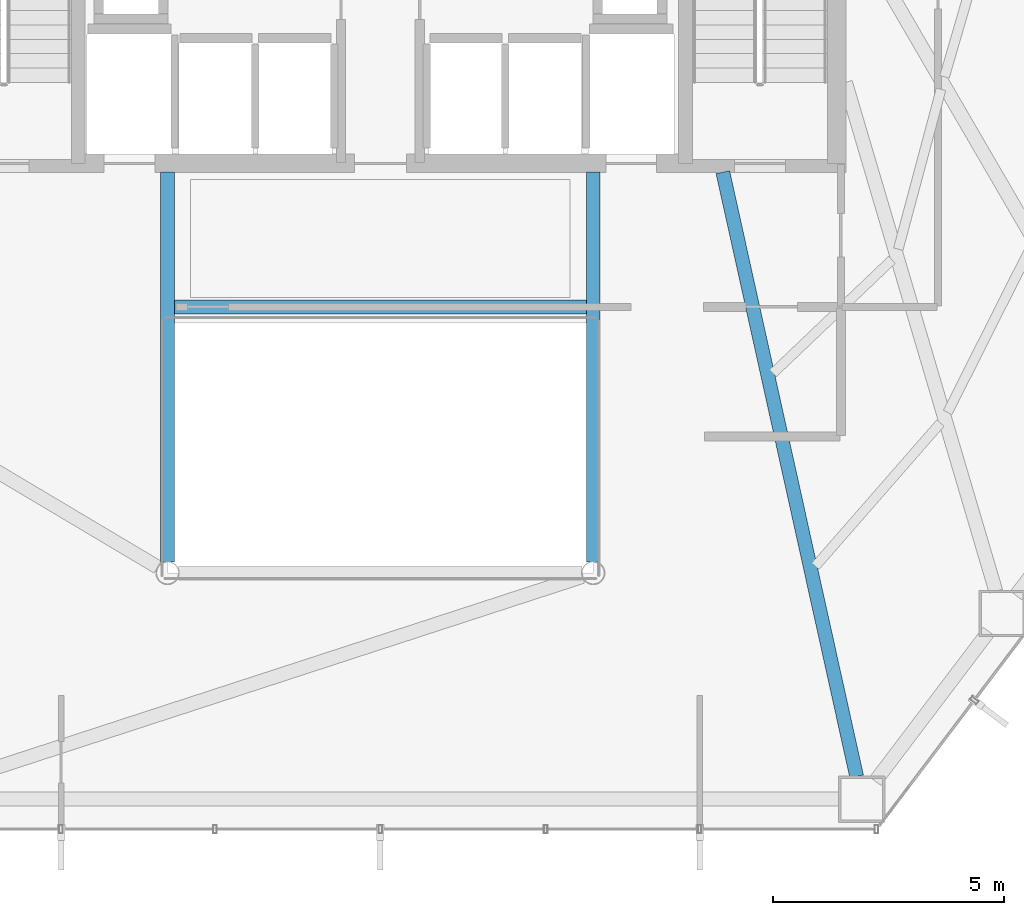
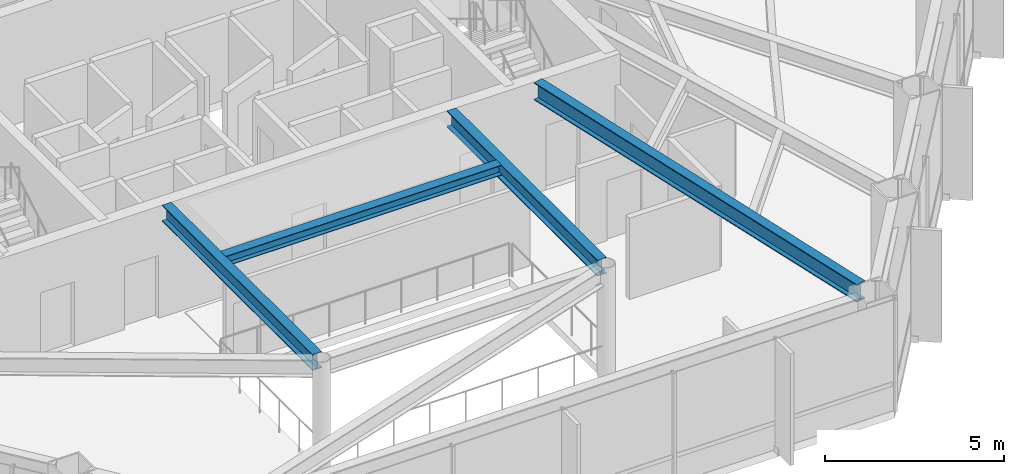
# One storey, part 9 of 25: 4 beams.
"""IFC4 building model written with IfcOpenShell, lengths in metres."""

from ifc_helpers import new_model, si_unit, direction, frame, origin, origin_2d, place, context, subcontext, project, spatial, i_section, extrude, material, material_profile, profile_set, type_object, element, save


model = new_model("IFC4")

# Units and contexts
model_context = context("Model", 3, precision=1e-05, world=origin(), true_north=direction((0.0, 1.0)))
body_context = subcontext(model_context, "Body", "Model", "MODEL_VIEW")
ifc_project = project(units=[si_unit("LENGTHUNIT", "METRE"), si_unit("AREAUNIT", "SQUARE_METRE"), si_unit("VOLUMEUNIT", "CUBIC_METRE"), si_unit("PLANEANGLEUNIT", "RADIAN"), si_unit("MASSUNIT", "GRAM", prefix="KILO")], contexts=[model_context])

# Site, building, storey
site_placement = place(None, origin())
site = spatial("IfcSite", under=ifc_project, at=site_placement, CompositionType="ELEMENT")
building_placement = place(site_placement, origin())
building = spatial("IfcBuilding", under=site, at=building_placement, Name="Zarrinselat Tower", CompositionType="ELEMENT")
storey_placement = place(building_placement, frame((0.0, 0.0, 52.02001953125)))
storey = spatial("IfcBuildingStorey", under=building, at=storey_placement, Name="L12", CompositionType="ELEMENT", Elevation=52.02001953125)

# Beams
ifc_material_1 = material(Name="Steel S355J2", Category="steel")
ifc_material_profile_1 = material_profile(ifc_material_1, i_section(OverallWidth=0.300048828125, OverallDepth=0.35009765625, WebThickness=0.010009765625, FlangeThickness=0.017578125, at=origin_2d()), Name="HEA 360")
ifc_profile_set_1 = profile_set([ifc_material_profile_1], Name="Steel S355J2")
beam_type_1 = type_object("IfcBeamType", Name="BM-HEA360", PredefinedType="LINTEL", material=ifc_profile_set_1)
beam_1_placement = place(storey_placement, frame((33.93994140625, 30.14990234375, 3.64501953125), z_axis=(1.0, 0.0, 0.0), x_axis=(0.0, 1.0, 0.0)))
element("IfcBeam", 1, at=beam_1_placement, inside=storey, type_object=beam_type_1, Name="L12 Lift Lobby Ceiling Beam", PredefinedType="LINTEL", context=body_context, shape_type="SweptSolid", body=[
    extrude(i_section(OverallWidth=0.300048828125, OverallDepth=0.35009765625, WebThickness=0.010009765625, FlangeThickness=0.017578125, at=origin_2d()), origin(), (0.0, 0.0, 1.0), 8.920166015625),
])
ifc_material_2 = material(Name="Steel S355J2", Category="steel")
ifc_material_profile_2 = material_profile(ifc_material_2, i_section(OverallWidth=0.300048828125, OverallDepth=0.550048828125, WebThickness=0.014892578125, FlangeThickness=0.029052734375, at=origin_2d()), Name="HEB 550")
ifc_profile_set_2 = profile_set([ifc_material_profile_2], Name="Steel S355J2")
beam_type_2 = type_object("IfcBeamType", Name="BM-HEB550", PredefinedType="BEAM", material=ifc_profile_set_2)
for number, where, z_axis, x_axis, name in (
    (2, (33.800048828125, 24.639892578125, 3.544921875), (0.0, 1.0, 0.0), (-1.0, 0.0, 0.0), "L12 Atrium Edge Beam W"),
    (3, (43.0, 24.639892578125, 3.544921875), (0.0, 1.0, 0.0), (-1.0, 0.0, 0.0), "L12 Atrium Edge Beam E"),
):
    element("IfcBeam", number, at=place(storey_placement, frame(where, z_axis=z_axis, x_axis=x_axis)), inside=storey, type_object=beam_type_2, Name=name, PredefinedType="BEAM", context=body_context, shape_type="SweptSolid", body=[
        extrude(i_section(OverallWidth=0.300048828125, OverallDepth=0.550048828125, WebThickness=0.014892578125, FlangeThickness=0.029052734375, at=origin_2d()), origin(), (0.0, 0.0, 1.0), 8.420166015625),
    ])
ifc_material_3 = material(Name="Steel S355J2", Category="steel")
ifc_material_profile_3 = material_profile(ifc_material_3, i_section(OverallWidth=0.300048828125, OverallDepth=0.60009765625, WebThickness=0.015380859375, FlangeThickness=0.030029296875, at=origin_2d()), Name="HEB 600")
ifc_profile_set_3 = profile_set([ifc_material_profile_3], Name="Steel S355J2")
beam_type_3 = type_object("IfcBeamType", Name="BM-HEB600", PredefinedType="BEAM", material=ifc_profile_set_3)
beam_2_placement = place(storey_placement, frame((45.800048828125, 33.06005859375, 3.52001953125), z_axis=(0.216165007623, -0.976356845359, 0.0), x_axis=(0.976356845359, 0.216165007623, 0.0)))
element("IfcBeam", 4, at=beam_2_placement, inside=storey, type_object=beam_type_3, Name="L12 Radial Primary Girder RG11", PredefinedType="BEAM", context=body_context, shape_type="SweptSolid", body=[
    extrude(i_section(OverallWidth=0.300048828125, OverallDepth=0.60009765625, WebThickness=0.015380859375, FlangeThickness=0.030029296875, at=origin_2d()), origin(), (0.0, 0.0, 1.0), 13.37451171875),
])

save(model, "model.ifc")
